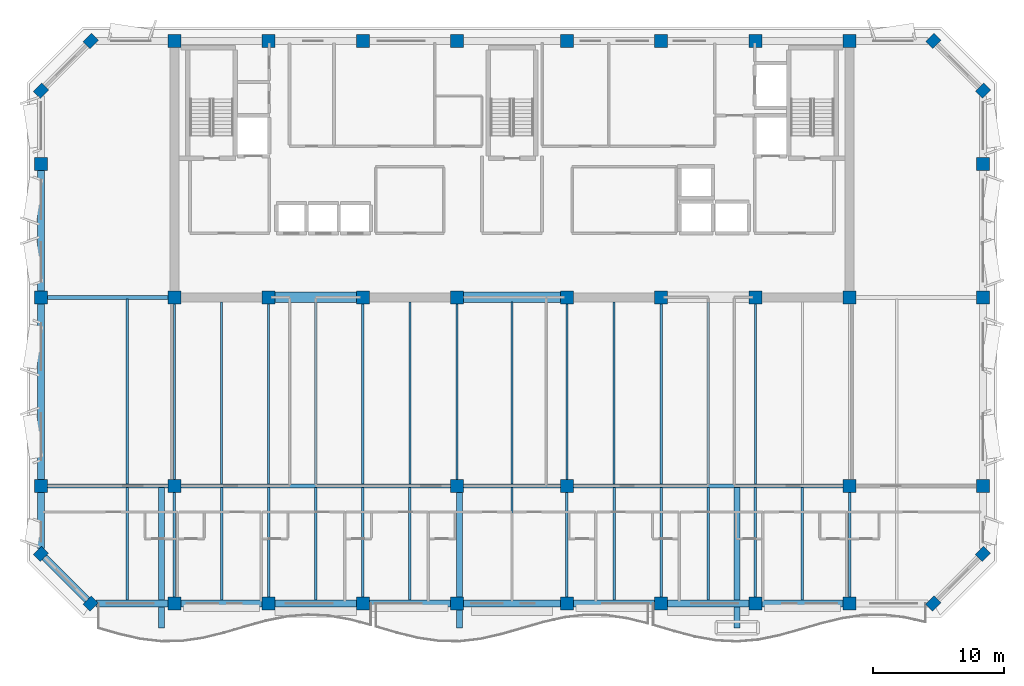
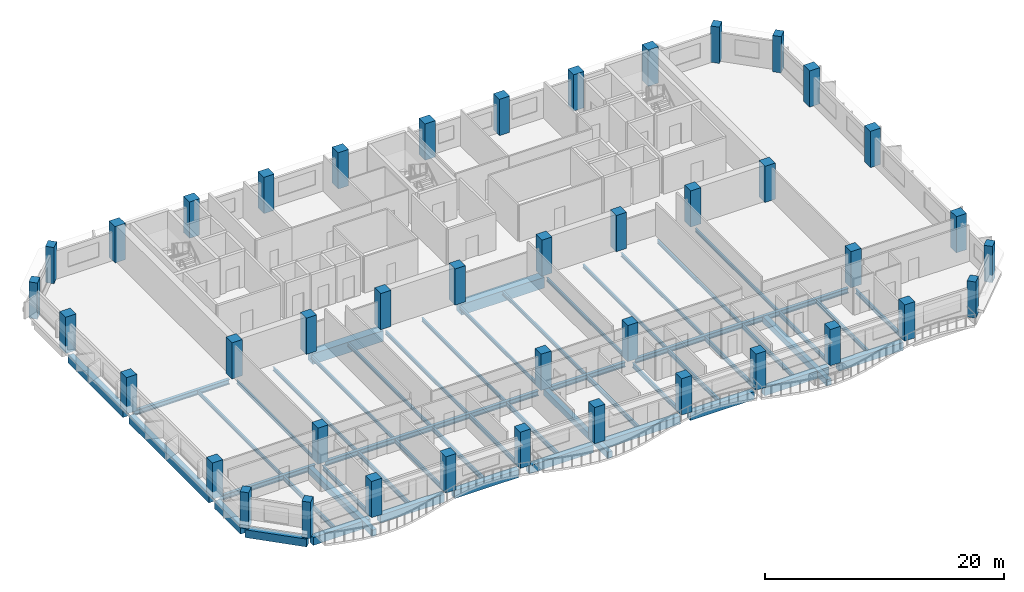
# One storey, part 1 of 11: 51 beams, 42 columns.
"""IFC4 building model written with IfcOpenShell, lengths in metres."""

from ifc_helpers import new_model, si_unit, direction, frame, origin, origin_2d, place, context, subcontext, project, spatial, rectangle, i_section, extrude, material, material_profile, profile_set, type_object, element, save


model = new_model("IFC4")

# Units and contexts
model_context = context("Model", 3, precision=1e-05, world=origin(), true_north=direction((0.0, 1.0)))
body_context = subcontext(model_context, "Body", "Model", "MODEL_VIEW")
ifc_project = project(units=[si_unit("LENGTHUNIT", "METRE"), si_unit("AREAUNIT", "SQUARE_METRE"), si_unit("VOLUMEUNIT", "CUBIC_METRE"), si_unit("PLANEANGLEUNIT", "RADIAN"), si_unit("MASSUNIT", "GRAM", prefix="KILO")], contexts=[model_context])

# Site, building, storey
site_placement = place(None, origin())
site = spatial("IfcSite", under=ifc_project, at=site_placement, CompositionType="ELEMENT")
building_placement = place(site_placement, origin())
building = spatial("IfcBuilding", under=site, at=building_placement, Name="Kaelvorn Grand Hotel", CompositionType="ELEMENT")
storey_placement = place(building_placement, frame((0.0, 0.0, 233.10009765625)))
storey = spatial("IfcBuildingStorey", under=building, at=storey_placement, Name="L57", CompositionType="ELEMENT", Elevation=233.10009765625)

# Columns
ifc_material_1 = material(Name="Concrete C60/75", Category="concrete")
ifc_material_profile_1 = material_profile(ifc_material_1, rectangle(XDim=0.89990234375, YDim=0.75, at=origin_2d()), Name="RC PILASTER 900x750")
ifc_profile_set_1 = profile_set([ifc_material_profile_1], Name="Concrete C60/75")
column_type_1 = type_object("IfcColumnType", Name="COL-PIL-900x750-C60", PredefinedType="PILASTER", material=ifc_profile_set_1)
for number, where, z_axis, x_axis, name in (
    (1, (9.800048828125, 6.0, 0.0), (0.0, 0.0, 1.0), (0.707106781187, 0.707106781187, 0.0), "L57 Structural Column CH-01"),
    (2, (74.199951171875, 6.0, 0.0), (0.0, 0.0, 1.0), (0.707106781187, 0.707106781187, 0.0), "L57 Structural Column CH-02"),
    (3, (78.0, 9.800048828125, 0.0), (0.0, 0.0, 1.0), (0.707106781187, 0.707106781187, 0.0), "L57 Structural Column CH-03"),
    (4, (78.0, 45.199951171875, 0.0), (0.0, 0.0, 1.0), (0.707106781187, 0.707106781187, 0.0), "L57 Structural Column CH-04"),
    (5, (74.199951171875, 49.0, 0.0), (0.0, 0.0, 1.0), (0.707106781187, 0.707106781187, 0.0), "L57 Structural Column CH-05"),
    (6, (9.800048828125, 49.0, 0.0), (0.0, 0.0, 1.0), (0.707106781187, 0.707106781187, 0.0), "L57 Structural Column CH-06"),
    (7, (6.0, 45.199951171875, 0.0), (0.0, 0.0, 1.0), (0.707106781187, 0.707106781187, 0.0), "L57 Structural Column CH-07"),
    (8, (6.0, 9.800048828125, 0.0), (0.0, 0.0, 1.0), (0.707106781187, 0.707106781187, 0.0), "L57 Structural Column CH-08"),
):
    element("IfcColumn", number, at=place(storey_placement, frame(where, z_axis=z_axis, x_axis=x_axis)), inside=storey, type_object=column_type_1, Name=name, PredefinedType="PILASTER", context=body_context, shape_type="SweptSolid", body=[
        extrude(rectangle(XDim=0.89990234375, YDim=0.75, at=origin_2d()), origin(), (0.0, 0.0, 1.0), 3.7099609375),
    ])
ifc_material_2 = material(Name="Concrete C50/60", Category="concrete")
ifc_material_profile_2 = material_profile(ifc_material_2, rectangle(XDim=1.0, YDim=1.0, at=origin_2d()), Name="RC COL 1000x1000")
ifc_profile_set_2 = profile_set([ifc_material_profile_2], Name="Concrete C50/60")
column_type_2 = type_object("IfcColumnType", Name="COL-RC-1000-C50", PredefinedType="COLUMN", material=ifc_profile_set_2)
for number, where, z_axis, x_axis, name in (
    (9, (16.199951171875, 6.0, 0.0), (0.0, 0.0, 1.0), (1.0, 0.0, 0.0), "L57 Structural Column S-01"),
    (10, (23.39990234375, 6.0, 0.0), (0.0, 0.0, 1.0), (1.0, 0.0, 0.0), "L57 Structural Column S-02"),
    (11, (30.60009765625, 6.0, 0.0), (0.0, 0.0, 1.0), (1.0, 0.0, 0.0), "L57 Structural Column S-03"),
    (12, (37.800048828125, 6.0, 0.0), (0.0, 0.0, 1.0), (1.0, 0.0, 0.0), "L57 Structural Column S-04"),
    (13, (46.199951171875, 6.0, 0.0), (0.0, 0.0, 1.0), (1.0, 0.0, 0.0), "L57 Structural Column S-05"),
    (14, (53.39990234375, 6.0, 0.0), (0.0, 0.0, 1.0), (1.0, 0.0, 0.0), "L57 Structural Column S-06"),
    (15, (60.60009765625, 6.0, 0.0), (0.0, 0.0, 1.0), (1.0, 0.0, 0.0), "L57 Structural Column S-07"),
    (16, (67.800048828125, 6.0, 0.0), (0.0, 0.0, 1.0), (1.0, 0.0, 0.0), "L57 Structural Column S-08"),
    (17, (6.0, 15.0, 0.0), (0.0, 0.0, 1.0), (1.0, 0.0, 0.0), "L57 Structural Column W-01"),
    (18, (78.0, 15.0, 0.0), (0.0, 0.0, 1.0), (1.0, 0.0, 0.0), "L57 Structural Column E-01"),
    (19, (6.0, 29.39990234375, 0.0), (0.0, 0.0, 1.0), (1.0, 0.0, 0.0), "L57 Structural Column W-02"),
    (20, (78.0, 29.39990234375, 0.0), (0.0, 0.0, 1.0), (1.0, 0.0, 0.0), "L57 Structural Column E-02"),
    (21, (6.0, 39.60009765625, 0.0), (0.0, 0.0, 1.0), (1.0, 0.0, 0.0), "L57 Structural Column W-03"),
    (22, (78.0, 39.60009765625, 0.0), (0.0, 0.0, 1.0), (1.0, 0.0, 0.0), "L57 Structural Column E-03"),
    (23, (16.199951171875, 15.0, 0.0), (0.0, 0.0, 1.0), (1.0, 0.0, 0.0), "L57 Structural Column M-01"),
    (24, (37.800048828125, 15.0, 0.0), (0.0, 0.0, 1.0), (1.0, 0.0, 0.0), "L57 Structural Column M-02"),
    (25, (46.199951171875, 15.0, 0.0), (0.0, 0.0, 1.0), (1.0, 0.0, 0.0), "L57 Structural Column M-03"),
    (26, (67.800048828125, 15.0, 0.0), (0.0, 0.0, 1.0), (1.0, 0.0, 0.0), "L57 Structural Column M-04"),
    (27, (16.199951171875, 29.39990234375, 0.0), (0.0, 0.0, 1.0), (1.0, 0.0, 0.0), "L57 Structural Column CR1-01"),
    (28, (16.199951171875, 49.0, 0.0), (0.0, 0.0, 1.0), (1.0, 0.0, 0.0), "L57 Structural Column CR2-01"),
    (29, (23.39990234375, 29.39990234375, 0.0), (0.0, 0.0, 1.0), (1.0, 0.0, 0.0), "L57 Structural Column CR1-02"),
    (30, (23.39990234375, 49.0, 0.0), (0.0, 0.0, 1.0), (1.0, 0.0, 0.0), "L57 Structural Column CR2-02"),
    (31, (30.60009765625, 29.39990234375, 0.0), (0.0, 0.0, 1.0), (1.0, 0.0, 0.0), "L57 Structural Column CR1-03"),
    (32, (30.60009765625, 49.0, 0.0), (0.0, 0.0, 1.0), (1.0, 0.0, 0.0), "L57 Structural Column CR2-03"),
    (33, (37.800048828125, 29.39990234375, 0.0), (0.0, 0.0, 1.0), (1.0, 0.0, 0.0), "L57 Structural Column CR1-04"),
    (34, (37.800048828125, 49.0, 0.0), (0.0, 0.0, 1.0), (1.0, 0.0, 0.0), "L57 Structural Column CR2-04"),
    (35, (46.199951171875, 29.39990234375, 0.0), (0.0, 0.0, 1.0), (1.0, 0.0, 0.0), "L57 Structural Column CR1-05"),
    (36, (46.199951171875, 49.0, 0.0), (0.0, 0.0, 1.0), (1.0, 0.0, 0.0), "L57 Structural Column CR2-05"),
    (37, (53.39990234375, 29.39990234375, 0.0), (0.0, 0.0, 1.0), (1.0, 0.0, 0.0), "L57 Structural Column CR1-06"),
    (38, (53.39990234375, 49.0, 0.0), (0.0, 0.0, 1.0), (1.0, 0.0, 0.0), "L57 Structural Column CR2-06"),
    (39, (60.60009765625, 29.39990234375, 0.0), (0.0, 0.0, 1.0), (1.0, 0.0, 0.0), "L57 Structural Column CR1-07"),
    (40, (60.60009765625, 49.0, 0.0), (0.0, 0.0, 1.0), (1.0, 0.0, 0.0), "L57 Structural Column CR2-07"),
    (41, (67.800048828125, 29.39990234375, 0.0), (0.0, 0.0, 1.0), (1.0, 0.0, 0.0), "L57 Structural Column CR1-08"),
    (42, (67.800048828125, 49.0, 0.0), (0.0, 0.0, 1.0), (1.0, 0.0, 0.0), "L57 Structural Column CR2-08"),
):
    element("IfcColumn", number, at=place(storey_placement, frame(where, z_axis=z_axis, x_axis=x_axis)), inside=storey, type_object=column_type_2, Name=name, PredefinedType="COLUMN", context=body_context, shape_type="SweptSolid", body=[
        extrude(rectangle(XDim=1.0, YDim=1.0, at=origin_2d()), origin(), (0.0, 0.0, 1.0), 3.7099609375),
    ])

# Beams
ifc_material_3 = material(Name="Steel S355", Category="steel")
ifc_material_profile_3 = material_profile(ifc_material_3, i_section(OverallWidth=0.300048828125, OverallDepth=0.5, WebThickness=0.014404296875, FlangeThickness=0.028076171875, FilletRadius=0.027099609375, at=origin_2d()), Name="HEB 500")
ifc_profile_set_3 = profile_set([ifc_material_profile_3], Name="Steel S355")
beam_type_1 = type_object("IfcBeamType", Name="BM-G-HEB500-S355", PredefinedType="BEAM", material=ifc_profile_set_3)
beam_1_placement = place(storey_placement, frame((6.485107421875, 15.0, -0.489990234375), z_axis=(1.0, 0.0, 0.0), x_axis=(0.0, 1.0, 0.0)))
element("IfcBeam", 43, at=beam_1_placement, inside=storey, type_object=beam_type_1, Name="L57 Primary Spine Steel Girder G-15 01", PredefinedType="BEAM", context=body_context, shape_type="SweptSolid", body=[
    extrude(i_section(OverallWidth=0.300048828125, OverallDepth=0.5, WebThickness=0.014404296875, FlangeThickness=0.028076171875, FilletRadius=0.027099609375, at=origin_2d()), origin(), (0.0, 0.0, 1.0), 9.22998046875),
])
beam_2_placement = place(storey_placement, frame((16.68505859375, 15.0, -0.489990234375), z_axis=(1.0, 0.0, 0.0), x_axis=(0.0, 1.0, 0.0)))
element("IfcBeam", 44, at=beam_2_placement, inside=storey, type_object=beam_type_1, Name="L57 Primary Spine Steel Girder G-15 02", PredefinedType="BEAM", context=body_context, shape_type="SweptSolid", body=[
    extrude(i_section(OverallWidth=0.300048828125, OverallDepth=0.5, WebThickness=0.014404296875, FlangeThickness=0.028076171875, FilletRadius=0.027099609375, at=origin_2d()), origin(), (0.0, 0.0, 1.0), 20.6298828125),
])
beam_3_placement = place(storey_placement, frame((38.284912109375, 15.0, -0.489990234375), z_axis=(1.0, 0.0, 0.0), x_axis=(0.0, 1.0, 0.0)))
element("IfcBeam", 45, at=beam_3_placement, inside=storey, type_object=beam_type_1, Name="L57 Primary Spine Steel Girder G-15 03", PredefinedType="BEAM", context=body_context, shape_type="SweptSolid", body=[
    extrude(i_section(OverallWidth=0.300048828125, OverallDepth=0.5, WebThickness=0.014404296875, FlangeThickness=0.028076171875, FilletRadius=0.027099609375, at=origin_2d()), origin(), (0.0, 0.0, 1.0), 7.43017578125),
])
beam_4_placement = place(storey_placement, frame((46.68505859375, 15.0, -0.489990234375), z_axis=(1.0, 0.0, 0.0), x_axis=(0.0, 1.0, 0.0)))
element("IfcBeam", 46, at=beam_4_placement, inside=storey, type_object=beam_type_1, Name="L57 Primary Spine Steel Girder G-15 04", PredefinedType="BEAM", context=body_context, shape_type="SweptSolid", body=[
    extrude(i_section(OverallWidth=0.300048828125, OverallDepth=0.5, WebThickness=0.014404296875, FlangeThickness=0.028076171875, FilletRadius=0.027099609375, at=origin_2d()), origin(), (0.0, 0.0, 1.0), 20.6298828125),
])
beam_5_placement = place(storey_placement, frame((6.485107421875, 29.39990234375, -0.489990234375), z_axis=(1.0, 0.0, 0.0), x_axis=(0.0, 1.0, 0.0)))
element("IfcBeam", 47, at=beam_5_placement, inside=storey, type_object=beam_type_1, Name="L57 West Core Wing Steel Girder G-29W 01", PredefinedType="BEAM", context=body_context, shape_type="SweptSolid", body=[
    extrude(i_section(OverallWidth=0.300048828125, OverallDepth=0.5, WebThickness=0.014404296875, FlangeThickness=0.028076171875, FilletRadius=0.027099609375, at=origin_2d()), origin(), (0.0, 0.0, 1.0), 9.22998046875),
])
ifc_material_profile_4 = material_profile(ifc_material_3, i_section(OverallWidth=0.169921875, OverallDepth=0.360107421875, WebThickness=0.008056640625, FlangeThickness=0.0126953125, FilletRadius=0.01806640625, at=origin_2d()), Name="IPE 360")
ifc_profile_set_4 = profile_set([ifc_material_profile_4], Name="Steel S355")
beam_type_2 = type_object("IfcBeamType", Name="BM-J-IPE360-S355", PredefinedType="JOIST", material=ifc_profile_set_4)
beam_6_placement = place(storey_placement, frame((12.60009765625, 15.135009765625, -0.420166015625), z_axis=(0.0, 1.0, 0.0), x_axis=(-1.0, 0.0, 0.0)))
element("IfcBeam", 48, at=beam_6_placement, inside=storey, type_object=beam_type_2, Name="L57 Composite Floor Joist JM-04", PredefinedType="JOIST", context=body_context, shape_type="SweptSolid", body=[
    extrude(i_section(OverallWidth=0.169921875, OverallDepth=0.360107421875, WebThickness=0.008056640625, FlangeThickness=0.0126953125, FilletRadius=0.01806640625, at=origin_2d()), origin(), (0.0, 0.0, 1.0), 14.1298828125),
])
beam_7_placement = place(storey_placement, frame((16.199951171875, 15.485107421875, -0.420166015625), z_axis=(0.0, 1.0, 0.0), x_axis=(-1.0, 0.0, 0.0)))
element("IfcBeam", 49, at=beam_7_placement, inside=storey, type_object=beam_type_2, Name="L57 Composite Floor Joist JM-05", PredefinedType="JOIST", context=body_context, shape_type="SweptSolid", body=[
    extrude(i_section(OverallWidth=0.169921875, OverallDepth=0.360107421875, WebThickness=0.008056640625, FlangeThickness=0.0126953125, FilletRadius=0.01806640625, at=origin_2d()), origin(), (0.0, 0.0, 1.0), 13.429931640625),
])
beam_8_placement = place(storey_placement, frame((19.800048828125, 15.135009765625, -0.420166015625), z_axis=(0.0, 1.0, 0.0), x_axis=(-1.0, 0.0, 0.0)))
element("IfcBeam", 50, at=beam_8_placement, inside=storey, type_object=beam_type_2, Name="L57 Composite Floor Joist JM-06", PredefinedType="JOIST", context=body_context, shape_type="SweptSolid", body=[
    extrude(i_section(OverallWidth=0.169921875, OverallDepth=0.360107421875, WebThickness=0.008056640625, FlangeThickness=0.0126953125, FilletRadius=0.01806640625, at=origin_2d()), origin(), (0.0, 0.0, 1.0), 13.925048828125),
])
beam_9_placement = place(storey_placement, frame((23.39990234375, 15.135009765625, -0.420166015625), z_axis=(0.0, 1.0, 0.0), x_axis=(-1.0, 0.0, 0.0)))
element("IfcBeam", 51, at=beam_9_placement, inside=storey, type_object=beam_type_2, Name="L57 Composite Floor Joist JM-07", PredefinedType="JOIST", context=body_context, shape_type="SweptSolid", body=[
    extrude(i_section(OverallWidth=0.169921875, OverallDepth=0.360107421875, WebThickness=0.008056640625, FlangeThickness=0.0126953125, FilletRadius=0.01806640625, at=origin_2d()), origin(), (0.0, 0.0, 1.0), 13.780029296875),
])
beam_10_placement = place(storey_placement, frame((27.0, 15.135009765625, -0.420166015625), z_axis=(0.0, 1.0, 0.0), x_axis=(-1.0, 0.0, 0.0)))
element("IfcBeam", 52, at=beam_10_placement, inside=storey, type_object=beam_type_2, Name="L57 Composite Floor Joist JM-08", PredefinedType="JOIST", context=body_context, shape_type="SweptSolid", body=[
    extrude(i_section(OverallWidth=0.169921875, OverallDepth=0.360107421875, WebThickness=0.008056640625, FlangeThickness=0.0126953125, FilletRadius=0.01806640625, at=origin_2d()), origin(), (0.0, 0.0, 1.0), 13.925048828125),
])
beam_11_placement = place(storey_placement, frame((30.60009765625, 15.135009765625, -0.420166015625), z_axis=(0.0, 1.0, 0.0), x_axis=(-1.0, 0.0, 0.0)))
element("IfcBeam", 53, at=beam_11_placement, inside=storey, type_object=beam_type_2, Name="L57 Composite Floor Joist JM-09", PredefinedType="JOIST", context=body_context, shape_type="SweptSolid", body=[
    extrude(i_section(OverallWidth=0.169921875, OverallDepth=0.360107421875, WebThickness=0.008056640625, FlangeThickness=0.0126953125, FilletRadius=0.01806640625, at=origin_2d()), origin(), (0.0, 0.0, 1.0), 13.780029296875),
])
beam_12_placement = place(storey_placement, frame((34.199951171875, 15.135009765625, -0.420166015625), z_axis=(0.0, 1.0, 0.0), x_axis=(-1.0, 0.0, 0.0)))
element("IfcBeam", 54, at=beam_12_placement, inside=storey, type_object=beam_type_2, Name="L57 Composite Floor Joist JM-10", PredefinedType="JOIST", context=body_context, shape_type="SweptSolid", body=[
    extrude(i_section(OverallWidth=0.169921875, OverallDepth=0.360107421875, WebThickness=0.008056640625, FlangeThickness=0.0126953125, FilletRadius=0.01806640625, at=origin_2d()), origin(), (0.0, 0.0, 1.0), 13.925048828125),
])
beam_13_placement = place(storey_placement, frame((37.800048828125, 15.485107421875, -0.420166015625), z_axis=(0.0, 1.0, 0.0), x_axis=(-1.0, 0.0, 0.0)))
element("IfcBeam", 55, at=beam_13_placement, inside=storey, type_object=beam_type_2, Name="L57 Composite Floor Joist JM-11", PredefinedType="JOIST", context=body_context, shape_type="SweptSolid", body=[
    extrude(i_section(OverallWidth=0.169921875, OverallDepth=0.360107421875, WebThickness=0.008056640625, FlangeThickness=0.0126953125, FilletRadius=0.01806640625, at=origin_2d()), origin(), (0.0, 0.0, 1.0), 13.429931640625),
])
beam_14_placement = place(storey_placement, frame((42.0, 15.135009765625, -0.420166015625), z_axis=(0.0, 1.0, 0.0), x_axis=(-1.0, 0.0, 0.0)))
element("IfcBeam", 56, at=beam_14_placement, inside=storey, type_object=beam_type_2, Name="L57 Composite Floor Joist JM-12", PredefinedType="JOIST", context=body_context, shape_type="SweptSolid", body=[
    extrude(i_section(OverallWidth=0.169921875, OverallDepth=0.360107421875, WebThickness=0.008056640625, FlangeThickness=0.0126953125, FilletRadius=0.01806640625, at=origin_2d()), origin(), (0.0, 0.0, 1.0), 13.925048828125),
])
beam_15_placement = place(storey_placement, frame((46.199951171875, 15.485107421875, -0.420166015625), z_axis=(0.0, 1.0, 0.0), x_axis=(-1.0, 0.0, 0.0)))
element("IfcBeam", 57, at=beam_15_placement, inside=storey, type_object=beam_type_2, Name="L57 Composite Floor Joist JM-13", PredefinedType="JOIST", context=body_context, shape_type="SweptSolid", body=[
    extrude(i_section(OverallWidth=0.169921875, OverallDepth=0.360107421875, WebThickness=0.008056640625, FlangeThickness=0.0126953125, FilletRadius=0.01806640625, at=origin_2d()), origin(), (0.0, 0.0, 1.0), 13.429931640625),
])
beam_16_placement = place(storey_placement, frame((49.800048828125, 15.135009765625, -0.420166015625), z_axis=(0.0, 1.0, 0.0), x_axis=(-1.0, 0.0, 0.0)))
element("IfcBeam", 58, at=beam_16_placement, inside=storey, type_object=beam_type_2, Name="L57 Composite Floor Joist JM-14", PredefinedType="JOIST", context=body_context, shape_type="SweptSolid", body=[
    extrude(i_section(OverallWidth=0.169921875, OverallDepth=0.360107421875, WebThickness=0.008056640625, FlangeThickness=0.0126953125, FilletRadius=0.01806640625, at=origin_2d()), origin(), (0.0, 0.0, 1.0), 13.925048828125),
])
beam_17_placement = place(storey_placement, frame((53.39990234375, 15.135009765625, -0.420166015625), z_axis=(0.0, 1.0, 0.0), x_axis=(-1.0, 0.0, 0.0)))
element("IfcBeam", 59, at=beam_17_placement, inside=storey, type_object=beam_type_2, Name="L57 Composite Floor Joist JM-15", PredefinedType="JOIST", context=body_context, shape_type="SweptSolid", body=[
    extrude(i_section(OverallWidth=0.169921875, OverallDepth=0.360107421875, WebThickness=0.008056640625, FlangeThickness=0.0126953125, FilletRadius=0.01806640625, at=origin_2d()), origin(), (0.0, 0.0, 1.0), 13.780029296875),
])
beam_18_placement = place(storey_placement, frame((57.0, 15.135009765625, -0.420166015625), z_axis=(0.0, 1.0, 0.0), x_axis=(-1.0, 0.0, 0.0)))
element("IfcBeam", 60, at=beam_18_placement, inside=storey, type_object=beam_type_2, Name="L57 Composite Floor Joist JM-16", PredefinedType="JOIST", context=body_context, shape_type="SweptSolid", body=[
    extrude(i_section(OverallWidth=0.169921875, OverallDepth=0.360107421875, WebThickness=0.008056640625, FlangeThickness=0.0126953125, FilletRadius=0.01806640625, at=origin_2d()), origin(), (0.0, 0.0, 1.0), 13.925048828125),
])
beam_19_placement = place(storey_placement, frame((60.60009765625, 15.135009765625, -0.420166015625), z_axis=(0.0, 1.0, 0.0), x_axis=(-1.0, 0.0, 0.0)))
element("IfcBeam", 61, at=beam_19_placement, inside=storey, type_object=beam_type_2, Name="L57 Composite Floor Joist JM-17", PredefinedType="JOIST", context=body_context, shape_type="SweptSolid", body=[
    extrude(i_section(OverallWidth=0.169921875, OverallDepth=0.360107421875, WebThickness=0.008056640625, FlangeThickness=0.0126953125, FilletRadius=0.01806640625, at=origin_2d()), origin(), (0.0, 0.0, 1.0), 13.780029296875),
])
ifc_material_profile_5 = material_profile(ifc_material_3, i_section(OverallWidth=0.18994140625, OverallDepth=0.449951171875, WebThickness=0.009521484375, FlangeThickness=0.0146484375, FilletRadius=0.02099609375, at=origin_2d()), Name="IPE 450")
ifc_profile_set_5 = profile_set([ifc_material_profile_5], Name="Steel S355")
beam_type_3 = type_object("IfcBeamType", Name="BM-J-IPE450-S355", PredefinedType="JOIST", material=ifc_profile_set_5)
beam_20_placement = place(storey_placement, frame((12.60009765625, 6.260009765625, -0.465087890625), z_axis=(0.0, 1.0, 0.0), x_axis=(-1.0, 0.0, 0.0)))
element("IfcBeam", 62, at=beam_20_placement, inside=storey, type_object=beam_type_3, Name="L57 Composite Floor Joist JS-04", PredefinedType="JOIST", context=body_context, shape_type="SweptSolid", body=[
    extrude(i_section(OverallWidth=0.18994140625, OverallDepth=0.449951171875, WebThickness=0.009521484375, FlangeThickness=0.0146484375, FilletRadius=0.02099609375, at=origin_2d()), origin(), (0.0, 0.0, 1.0), 8.60498046875),
])
beam_21_placement = place(storey_placement, frame((16.199951171875, 6.485107421875, -0.465087890625), z_axis=(0.0, 1.0, 0.0), x_axis=(-1.0, 0.0, 0.0)))
element("IfcBeam", 63, at=beam_21_placement, inside=storey, type_object=beam_type_3, Name="L57 Composite Floor Joist JS-05", PredefinedType="JOIST", context=body_context, shape_type="SweptSolid", body=[
    extrude(i_section(OverallWidth=0.18994140625, OverallDepth=0.449951171875, WebThickness=0.009521484375, FlangeThickness=0.0146484375, FilletRadius=0.02099609375, at=origin_2d()), origin(), (0.0, 0.0, 1.0), 8.02978515625),
])
beam_22_placement = place(storey_placement, frame((19.800048828125, 6.260009765625, -0.465087890625), z_axis=(0.0, 1.0, 0.0), x_axis=(-1.0, 0.0, 0.0)))
element("IfcBeam", 64, at=beam_22_placement, inside=storey, type_object=beam_type_3, Name="L57 Composite Floor Joist JS-06", PredefinedType="JOIST", context=body_context, shape_type="SweptSolid", body=[
    extrude(i_section(OverallWidth=0.18994140625, OverallDepth=0.449951171875, WebThickness=0.009521484375, FlangeThickness=0.0146484375, FilletRadius=0.02099609375, at=origin_2d()), origin(), (0.0, 0.0, 1.0), 8.60498046875),
])
beam_23_placement = place(storey_placement, frame((23.39990234375, 6.485107421875, -0.465087890625), z_axis=(0.0, 1.0, 0.0), x_axis=(-1.0, 0.0, 0.0)))
element("IfcBeam", 65, at=beam_23_placement, inside=storey, type_object=beam_type_3, Name="L57 Composite Floor Joist JS-07", PredefinedType="JOIST", context=body_context, shape_type="SweptSolid", body=[
    extrude(i_section(OverallWidth=0.18994140625, OverallDepth=0.449951171875, WebThickness=0.009521484375, FlangeThickness=0.0146484375, FilletRadius=0.02099609375, at=origin_2d()), origin(), (0.0, 0.0, 1.0), 8.3798828125),
])
beam_24_placement = place(storey_placement, frame((27.0, 6.260009765625, -0.465087890625), z_axis=(0.0, 1.0, 0.0), x_axis=(-1.0, 0.0, 0.0)))
element("IfcBeam", 66, at=beam_24_placement, inside=storey, type_object=beam_type_3, Name="L57 Composite Floor Joist JS-08", PredefinedType="JOIST", context=body_context, shape_type="SweptSolid", body=[
    extrude(i_section(OverallWidth=0.18994140625, OverallDepth=0.449951171875, WebThickness=0.009521484375, FlangeThickness=0.0146484375, FilletRadius=0.02099609375, at=origin_2d()), origin(), (0.0, 0.0, 1.0), 8.60498046875),
])
beam_25_placement = place(storey_placement, frame((30.60009765625, 6.485107421875, -0.465087890625), z_axis=(0.0, 1.0, 0.0), x_axis=(-1.0, 0.0, 0.0)))
element("IfcBeam", 67, at=beam_25_placement, inside=storey, type_object=beam_type_3, Name="L57 Composite Floor Joist JS-09", PredefinedType="JOIST", context=body_context, shape_type="SweptSolid", body=[
    extrude(i_section(OverallWidth=0.18994140625, OverallDepth=0.449951171875, WebThickness=0.009521484375, FlangeThickness=0.0146484375, FilletRadius=0.02099609375, at=origin_2d()), origin(), (0.0, 0.0, 1.0), 8.3798828125),
])
for number, where, z_axis, x_axis, name in (
    (68, (34.199951171875, 6.260009765625, -0.465087890625), (0.0, 1.0, 0.0), (-1.0, 0.0, 0.0), "L57 Composite Floor Joist JS-10"),
    (69, (42.0, 6.260009765625, -0.465087890625), (0.0, 1.0, 0.0), (-1.0, 0.0, 0.0), "L57 Composite Floor Joist JS-12"),
):
    element("IfcBeam", number, at=place(storey_placement, frame(where, z_axis=z_axis, x_axis=x_axis)), inside=storey, type_object=beam_type_3, Name=name, PredefinedType="JOIST", context=body_context, shape_type="SweptSolid", body=[
        extrude(i_section(OverallWidth=0.18994140625, OverallDepth=0.449951171875, WebThickness=0.009521484375, FlangeThickness=0.0146484375, FilletRadius=0.02099609375, at=origin_2d()), origin(), (0.0, 0.0, 1.0), 8.60498046875),
    ])
beam_26_placement = place(storey_placement, frame((46.199951171875, 6.485107421875, -0.465087890625), z_axis=(0.0, 1.0, 0.0), x_axis=(-1.0, 0.0, 0.0)))
element("IfcBeam", 70, at=beam_26_placement, inside=storey, type_object=beam_type_3, Name="L57 Composite Floor Joist JS-13", PredefinedType="JOIST", context=body_context, shape_type="SweptSolid", body=[
    extrude(i_section(OverallWidth=0.18994140625, OverallDepth=0.449951171875, WebThickness=0.009521484375, FlangeThickness=0.0146484375, FilletRadius=0.02099609375, at=origin_2d()), origin(), (0.0, 0.0, 1.0), 8.02978515625),
])
beam_27_placement = place(storey_placement, frame((49.800048828125, 6.260009765625, -0.465087890625), z_axis=(0.0, 1.0, 0.0), x_axis=(-1.0, 0.0, 0.0)))
element("IfcBeam", 71, at=beam_27_placement, inside=storey, type_object=beam_type_3, Name="L57 Composite Floor Joist JS-14", PredefinedType="JOIST", context=body_context, shape_type="SweptSolid", body=[
    extrude(i_section(OverallWidth=0.18994140625, OverallDepth=0.449951171875, WebThickness=0.009521484375, FlangeThickness=0.0146484375, FilletRadius=0.02099609375, at=origin_2d()), origin(), (0.0, 0.0, 1.0), 8.60498046875),
])
beam_28_placement = place(storey_placement, frame((53.39990234375, 6.485107421875, -0.465087890625), z_axis=(0.0, 1.0, 0.0), x_axis=(-1.0, 0.0, 0.0)))
element("IfcBeam", 72, at=beam_28_placement, inside=storey, type_object=beam_type_3, Name="L57 Composite Floor Joist JS-15", PredefinedType="JOIST", context=body_context, shape_type="SweptSolid", body=[
    extrude(i_section(OverallWidth=0.18994140625, OverallDepth=0.449951171875, WebThickness=0.009521484375, FlangeThickness=0.0146484375, FilletRadius=0.02099609375, at=origin_2d()), origin(), (0.0, 0.0, 1.0), 8.3798828125),
])
beam_29_placement = place(storey_placement, frame((57.0, 6.260009765625, -0.465087890625), z_axis=(0.0, 1.0, 0.0), x_axis=(-1.0, 0.0, 0.0)))
element("IfcBeam", 73, at=beam_29_placement, inside=storey, type_object=beam_type_3, Name="L57 Composite Floor Joist JS-16", PredefinedType="JOIST", context=body_context, shape_type="SweptSolid", body=[
    extrude(i_section(OverallWidth=0.18994140625, OverallDepth=0.449951171875, WebThickness=0.009521484375, FlangeThickness=0.0146484375, FilletRadius=0.02099609375, at=origin_2d()), origin(), (0.0, 0.0, 1.0), 8.60498046875),
])
beam_30_placement = place(storey_placement, frame((60.60009765625, 6.485107421875, -0.465087890625), z_axis=(0.0, 1.0, 0.0), x_axis=(-1.0, 0.0, 0.0)))
element("IfcBeam", 74, at=beam_30_placement, inside=storey, type_object=beam_type_3, Name="L57 Composite Floor Joist JS-17", PredefinedType="JOIST", context=body_context, shape_type="SweptSolid", body=[
    extrude(i_section(OverallWidth=0.18994140625, OverallDepth=0.449951171875, WebThickness=0.009521484375, FlangeThickness=0.0146484375, FilletRadius=0.02099609375, at=origin_2d()), origin(), (0.0, 0.0, 1.0), 8.3798828125),
])
beam_31_placement = place(storey_placement, frame((64.199951171875, 6.260009765625, -0.465087890625), z_axis=(0.0, 1.0, 0.0), x_axis=(-1.0, 0.0, 0.0)))
element("IfcBeam", 75, at=beam_31_placement, inside=storey, type_object=beam_type_3, Name="L57 Composite Floor Joist JS-18", PredefinedType="JOIST", context=body_context, shape_type="SweptSolid", body=[
    extrude(i_section(OverallWidth=0.18994140625, OverallDepth=0.449951171875, WebThickness=0.009521484375, FlangeThickness=0.0146484375, FilletRadius=0.02099609375, at=origin_2d()), origin(), (0.0, 0.0, 1.0), 8.60498046875),
])
beam_32_placement = place(storey_placement, frame((67.800048828125, 6.485107421875, -0.465087890625), z_axis=(0.0, 1.0, 0.0), x_axis=(-1.0, 0.0, 0.0)))
element("IfcBeam", 76, at=beam_32_placement, inside=storey, type_object=beam_type_3, Name="L57 Composite Floor Joist JS-19", PredefinedType="JOIST", context=body_context, shape_type="SweptSolid", body=[
    extrude(i_section(OverallWidth=0.18994140625, OverallDepth=0.449951171875, WebThickness=0.009521484375, FlangeThickness=0.0146484375, FilletRadius=0.02099609375, at=origin_2d()), origin(), (0.0, 0.0, 1.0), 8.02978515625),
])
ifc_material_profile_6 = material_profile(ifc_material_1, rectangle(XDim=0.800048828125, YDim=1.10009765625, at=origin_2d()), Name="RC LINTEL 800x1100")
ifc_profile_set_6 = profile_set([ifc_material_profile_6], Name="Concrete C60/75")
beam_type_4 = type_object("IfcBeamType", Name="BM-LIN-800x1100-C60", PredefinedType="LINTEL", material=ifc_profile_set_6)
beam_33_placement = place(storey_placement, frame((23.580078125, 29.39990234375, -0.7900390625), z_axis=(1.0, 0.0, 0.0), x_axis=(0.0, 1.0, 0.0)))
element("IfcBeam", 77, at=beam_33_placement, inside=storey, type_object=beam_type_4, Name="L57 Rear-Core Coupling Lintel Beam CB1-01", PredefinedType="LINTEL", context=body_context, shape_type="SweptSolid", body=[
    extrude(rectangle(XDim=0.800048828125, YDim=1.10009765625, at=origin_2d()), origin(), (0.0, 0.0, 1.0), 6.83984375),
])
beam_34_placement = place(storey_placement, frame((37.97998046875, 29.39990234375, -0.7900390625), z_axis=(1.0, 0.0, 0.0), x_axis=(0.0, 1.0, 0.0)))
element("IfcBeam", 78, at=beam_34_placement, inside=storey, type_object=beam_type_4, Name="L57 Rear-Core Coupling Lintel Beam CB1-02", PredefinedType="LINTEL", context=body_context, shape_type="SweptSolid", body=[
    extrude(rectangle(XDim=0.800048828125, YDim=1.10009765625, at=origin_2d()), origin(), (0.0, 0.0, 1.0), 8.0400390625),
])
ifc_material_4 = material(Name="Concrete C40/50", Category="concrete")
ifc_material_profile_7 = material_profile(ifc_material_4, rectangle(XDim=0.449951171875, YDim=0.64990234375, at=origin_2d()), Name="RC RIB 450x650")
ifc_profile_set_7 = profile_set([ifc_material_profile_7], Name="Concrete C40/50")
beam_type_5 = type_object("IfcBeamType", Name="BM-RIB-450x650-C40", PredefinedType="SPANDREL", material=ifc_profile_set_7)
for number, where, z_axis, x_axis, name in (
    (79, (15.199951171875, 4.14990234375, -0.545166015625), (0.0, 1.0, 0.0), (-1.0, 0.0, 0.0), "L57 Cantilevered Balcony Back-Span Rib RB1-1"),
    (80, (38.0, 4.14990234375, -0.545166015625), (0.0, 1.0, 0.0), (-1.0, 0.0, 0.0), "L57 Cantilevered Balcony Back-Span Rib RB1-2"),
    (81, (59.199951171875, 4.14990234375, -0.545166015625), (0.0, 1.0, 0.0), (-1.0, 0.0, 0.0), "L57 Cantilevered Balcony Back-Span Rib RB1-3"),
):
    element("IfcBeam", number, at=place(storey_placement, frame(where, z_axis=z_axis, x_axis=x_axis)), inside=storey, type_object=beam_type_5, Name=name, PredefinedType="SPANDREL", context=body_context, shape_type="SweptSolid", body=[
        extrude(rectangle(XDim=0.449951171875, YDim=0.64990234375, at=origin_2d()), origin(), (0.0, 0.0, 1.0), 10.715087890625),
    ])
ifc_material_profile_8 = material_profile(ifc_material_2, rectangle(XDim=0.550048828125, YDim=0.800048828125, at=origin_2d()), Name="RC SPANDREL 550x800")
ifc_profile_set_8 = profile_set([ifc_material_profile_8], Name="Concrete C50/60")
beam_type_6 = type_object("IfcBeamType", Name="BM-SP-550x800-C50", PredefinedType="SPANDREL", material=ifc_profile_set_8)
beam_35_placement = place(storey_placement, frame((10.205078125, 6.0, -0.64013671875), z_axis=(1.0, 0.0, 0.0), x_axis=(0.0, 1.0, 0.0)))
element("IfcBeam", 82, at=beam_35_placement, inside=storey, type_object=beam_type_6, Name="L57 South Perimeter Spandrel 01", PredefinedType="SPANDREL", context=body_context, shape_type="SweptSolid", body=[
    extrude(rectangle(XDim=0.550048828125, YDim=0.800048828125, at=origin_2d()), origin(), (0.0, 0.0, 1.0), 5.510009765625),
])
for number, where, z_axis, x_axis, name in (
    (83, (16.68505859375, 6.0, -0.64013671875), (1.0, 0.0, 0.0), (0.0, 1.0, 0.0), "L57 South Perimeter Spandrel 02"),
    (84, (23.885009765625, 6.0, -0.64013671875), (1.0, 0.0, 0.0), (0.0, 1.0, 0.0), "L57 South Perimeter Spandrel 03"),
    (85, (31.0849609375, 6.0, -0.64013671875), (1.0, 0.0, 0.0), (0.0, 1.0, 0.0), "L57 South Perimeter Spandrel 04"),
):
    element("IfcBeam", number, at=place(storey_placement, frame(where, z_axis=z_axis, x_axis=x_axis)), inside=storey, type_object=beam_type_6, Name=name, PredefinedType="SPANDREL", context=body_context, shape_type="SweptSolid", body=[
        extrude(rectangle(XDim=0.550048828125, YDim=0.800048828125, at=origin_2d()), origin(), (0.0, 0.0, 1.0), 6.22998046875),
    ])
beam_36_placement = place(storey_placement, frame((38.284912109375, 6.0, -0.64013671875), z_axis=(1.0, 0.0, 0.0), x_axis=(0.0, 1.0, 0.0)))
element("IfcBeam", 86, at=beam_36_placement, inside=storey, type_object=beam_type_6, Name="L57 South Perimeter Spandrel 05", PredefinedType="SPANDREL", context=body_context, shape_type="SweptSolid", body=[
    extrude(rectangle(XDim=0.550048828125, YDim=0.800048828125, at=origin_2d()), origin(), (0.0, 0.0, 1.0), 7.43017578125),
])
for number, where, z_axis, x_axis, name in (
    (87, (46.68505859375, 6.0, -0.64013671875), (1.0, 0.0, 0.0), (0.0, 1.0, 0.0), "L57 South Perimeter Spandrel 06"),
    (88, (53.885009765625, 6.0, -0.64013671875), (1.0, 0.0, 0.0), (0.0, 1.0, 0.0), "L57 South Perimeter Spandrel 07"),
    (89, (61.0849609375, 6.0, -0.64013671875), (1.0, 0.0, 0.0), (0.0, 1.0, 0.0), "L57 South Perimeter Spandrel 08"),
):
    element("IfcBeam", number, at=place(storey_placement, frame(where, z_axis=z_axis, x_axis=x_axis)), inside=storey, type_object=beam_type_6, Name=name, PredefinedType="SPANDREL", context=body_context, shape_type="SweptSolid", body=[
        extrude(rectangle(XDim=0.550048828125, YDim=0.800048828125, at=origin_2d()), origin(), (0.0, 0.0, 1.0), 6.22998046875),
    ])
beam_37_placement = place(storey_placement, frame((6.0, 10.205078125, -0.64013671875), z_axis=(0.0, 1.0, 0.0), x_axis=(-1.0, 0.0, 0.0)))
element("IfcBeam", 90, at=beam_37_placement, inside=storey, type_object=beam_type_6, Name="L57 West Perimeter Spandrel 01", PredefinedType="SPANDREL", context=body_context, shape_type="SweptSolid", body=[
    extrude(rectangle(XDim=0.550048828125, YDim=0.800048828125, at=origin_2d()), origin(), (0.0, 0.0, 1.0), 4.309814453125),
])
beam_38_placement = place(storey_placement, frame((6.0, 15.485107421875, -0.64013671875), z_axis=(0.0, 1.0, 0.0), x_axis=(-1.0, 0.0, 0.0)))
element("IfcBeam", 91, at=beam_38_placement, inside=storey, type_object=beam_type_6, Name="L57 West Perimeter Spandrel 02", PredefinedType="SPANDREL", context=body_context, shape_type="SweptSolid", body=[
    extrude(rectangle(XDim=0.550048828125, YDim=0.800048828125, at=origin_2d()), origin(), (0.0, 0.0, 1.0), 13.429931640625),
])
beam_39_placement = place(storey_placement, frame((6.0, 29.885009765625, -0.64013671875), z_axis=(0.0, 1.0, 0.0), x_axis=(-1.0, 0.0, 0.0)))
element("IfcBeam", 92, at=beam_39_placement, inside=storey, type_object=beam_type_6, Name="L57 West Perimeter Spandrel 03", PredefinedType="SPANDREL", context=body_context, shape_type="SweptSolid", body=[
    extrude(rectangle(XDim=0.550048828125, YDim=0.800048828125, at=origin_2d()), origin(), (0.0, 0.0, 1.0), 9.22998046875),
])
beam_40_placement = place(storey_placement, frame((6.0, 9.800048828125, -0.64013671875), z_axis=(0.707106781187, -0.707106781187, 0.0), x_axis=(0.707106781187, 0.707106781187, 0.0)))
element("IfcBeam", 93, at=beam_40_placement, inside=storey, type_object=beam_type_6, Name="L57 Chamfer Spandrel Beam 4", PredefinedType="SPANDREL", context=body_context, shape_type="SweptSolid", body=[
    extrude(rectangle(XDim=0.550048828125, YDim=0.800048828125, at=origin_2d()), origin(), (0.0, 0.0, 1.0), 5.3740234375),
])

save(model, "model.ifc")
